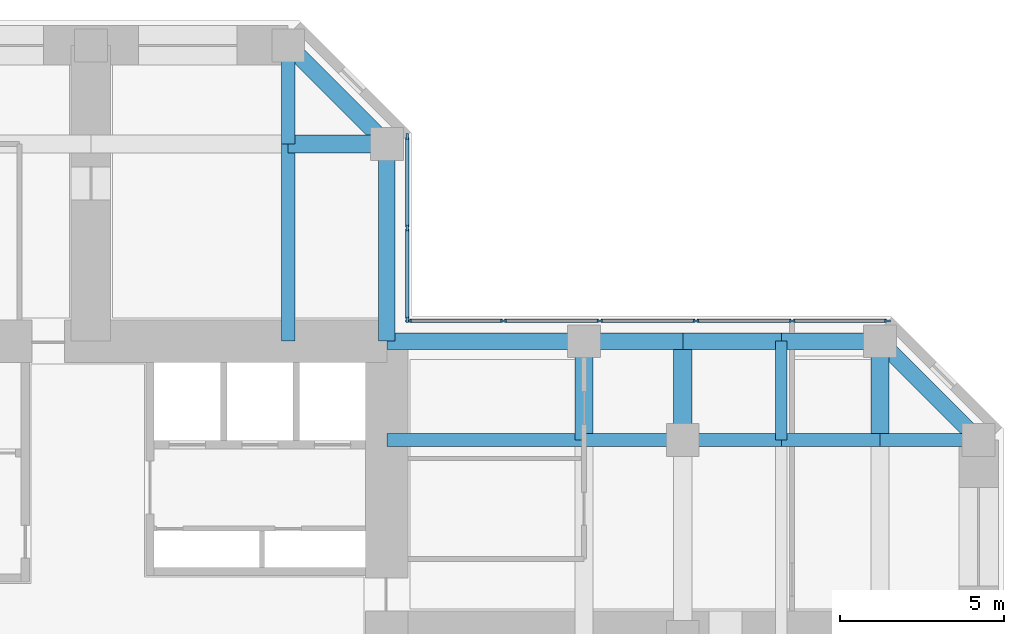
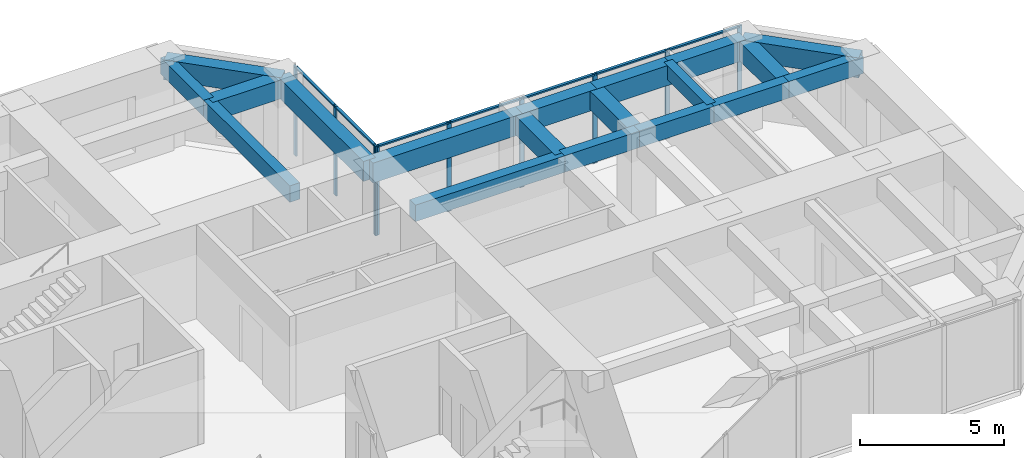
# One storey, part 6 of 12: 19 beams, 16 members, 2 elements without a shape of their own.
"""IFC4 building model written with IfcOpenShell, lengths in metres."""

from ifc_helpers import new_model, si_unit, direction, frame, origin, origin_2d, place, context, subcontext, project, spatial, rectangle, extrude, material, material_profile, profile_set, type_object, element, aggregate, save


model = new_model("IFC4")

# Units and contexts
model_context = context("Model", 3, precision=1e-05, world=origin(), true_north=direction((0.0, 1.0)))
body_context = subcontext(model_context, "Body", "Model", "MODEL_VIEW")
ifc_project = project(units=[si_unit("LENGTHUNIT", "METRE"), si_unit("AREAUNIT", "SQUARE_METRE"), si_unit("VOLUMEUNIT", "CUBIC_METRE"), si_unit("PLANEANGLEUNIT", "RADIAN"), si_unit("MASSUNIT", "GRAM", prefix="KILO")], contexts=[model_context])

# Site, building, storey
site_placement = place(None, origin())
site = spatial("IfcSite", under=ifc_project, at=site_placement, CompositionType="ELEMENT")
building_placement = place(site_placement, origin())
building = spatial("IfcBuilding", under=site, at=building_placement, Name="Torre Cruceta", CompositionType="ELEMENT")
storey_placement = place(building_placement, frame((0.0, 0.0, 144.5)))
storey = spatial("IfcBuildingStorey", under=building, at=storey_placement, Name="L35", CompositionType="ELEMENT", Elevation=144.5)

# Beams
ifc_material_1 = material(Name="Concrete G60 (fck 60 MPa)", Category="concrete")
ifc_material_profile_1 = material_profile(ifc_material_1, rectangle(XDim=0.39990234375, YDim=0.699951171875, at=origin_2d()), Name="RC 400X700")
ifc_profile_set_1 = profile_set([ifc_material_profile_1], Name="Concrete G60 (fck 60 MPa)")
beam_type_1 = type_object("IfcBeamType", Name="COLUMN LINE BEAM RC 400X700", PredefinedType="BEAM", material=ifc_profile_set_1)
beam_1_placement = place(storey_placement, frame((6.0, 9.0, 3.449951171875), z_axis=(0.0, 1.0, 0.0), x_axis=(-1.0, 0.0, 0.0)))
element("IfcBeam", 1, at=beam_1_placement, inside=storey, type_object=beam_type_1, Name="LB5 L35 N col- 1", PredefinedType="BEAM", context=body_context, shape_type="SweptSolid", body=[
    extrude(rectangle(XDim=0.39990234375, YDim=0.699951171875, at=origin_2d()), origin(), (0.0, 0.0, 1.0), 6.0),
])
beam_2_placement = place(storey_placement, frame((6.0, 15.0, 3.449951171875), z_axis=(0.0, 1.0, 0.0), x_axis=(-1.0, 0.0, 0.0)))
element("IfcBeam", 2, at=beam_2_placement, inside=storey, type_object=beam_type_1, Name="LB5 L35 N col- 2", PredefinedType="BEAM", context=body_context, shape_type="SweptSolid", body=[
    extrude(rectangle(XDim=0.39990234375, YDim=0.699951171875, at=origin_2d()), origin(), (0.0, 0.0, 1.0), 3.0),
])
beam_3_placement = place(storey_placement, frame((9.0, 6.0, 3.449951171875), z_axis=(1.0, 0.0, 0.0), x_axis=(0.0, 1.0, 0.0)))
element("IfcBeam", 3, at=beam_3_placement, inside=storey, type_object=beam_type_1, Name="LB5 L35 E col+ 1", PredefinedType="BEAM", context=body_context, shape_type="SweptSolid", body=[
    extrude(rectangle(XDim=0.39990234375, YDim=0.699951171875, at=origin_2d()), origin(), (0.0, 0.0, 1.0), 6.0),
])
for number, where, z_axis, x_axis, name in (
    (4, (15.0, 6.0, 3.449951171875), (1.0, 0.0, 0.0), (0.0, 1.0, 0.0), "LB5 L35 E col+ 2"),
    (5, (18.0, 6.0, 3.449951171875), (1.0, 0.0, 0.0), (0.0, 1.0, 0.0), "LB5 L35 E col+ 3"),
    (6, (21.0, 6.0, 3.449951171875), (1.0, 0.0, 0.0), (0.0, 1.0, 0.0), "LB5 L35 E col+ 4"),
    (7, (24.0, 6.0, 3.449951171875), (1.0, 0.0, 0.0), (0.0, 1.0, 0.0), "LB5 L35 E col+ 5"),
):
    element("IfcBeam", number, at=place(storey_placement, frame(where, z_axis=z_axis, x_axis=x_axis)), inside=storey, type_object=beam_type_1, Name=name, PredefinedType="BEAM", context=body_context, shape_type="SweptSolid", body=[
        extrude(rectangle(XDim=0.39990234375, YDim=0.699951171875, at=origin_2d()), origin(), (0.0, 0.0, 1.0), 3.0),
    ])
ifc_material_2 = material(Name="Concrete G60 (fck 60 MPa)", Category="concrete")
ifc_material_profile_2 = material_profile(ifc_material_2, rectangle(XDim=0.550048828125, YDim=0.800048828125, at=origin_2d()), Name="RC 550X800")
ifc_profile_set_2 = profile_set([ifc_material_profile_2], Name="Concrete G60 (fck 60 MPa)")
beam_type_2 = type_object("IfcBeamType", Name="CROSS BEAM RC 550X800", PredefinedType="BEAM", material=ifc_profile_set_2)
for number, where, z_axis, x_axis, name in (
    (8, (9.0, 15.0, 3.39990234375), (-1.0, 0.0, 0.0), (0.0, -1.0, 0.0), "GB5 L35 N cross15 1"),
    (9, (15.0, 6.0, 3.39990234375), (0.0, 1.0, 0.0), (-1.0, 0.0, 0.0), "GB5 L35 E cross15 4"),
    (10, (18.0, 6.0, 3.39990234375), (0.0, 1.0, 0.0), (-1.0, 0.0, 0.0), "GB5 L35 E cross18 4"),
    (11, (24.0, 6.0, 3.39990234375), (0.0, 1.0, 0.0), (-1.0, 0.0, 0.0), "GB5 L35 E cross24 4"),
):
    element("IfcBeam", number, at=place(storey_placement, frame(where, z_axis=z_axis, x_axis=x_axis)), inside=storey, type_object=beam_type_2, Name=name, PredefinedType="BEAM", context=body_context, shape_type="SweptSolid", body=[
        extrude(rectangle(XDim=0.550048828125, YDim=0.800048828125, at=origin_2d()), origin(), (0.0, 0.0, 1.0), 3.0),
    ])

# Curtain wall, members
ifc_material_3 = material(Name="Aluminium unitised curtain wall", Category="aluminium")
curtain_wall_type = type_object("IfcCurtainWallType", Name="CURTAIN WALL CW-B OFFICE MID RISE", PredefinedType="USERDEFINED", material=ifc_material_3)
curtain_wall_1_placement = place(storey_placement, origin())
curtain_wall_1 = element("IfcCurtainWall", 12, at=curtain_wall_1_placement, inside=storey, type_object=curtain_wall_type, Name="CW-B L35 E side 04", ObjectType="UNITISED", PredefinedType="USERDEFINED")
ifc_material_4 = material(Name="Aluminium mullion", Category="aluminium")
ifc_material_profile_3 = material_profile(ifc_material_4, rectangle(XDim=0.06494140625, YDim=0.179931640625, at=origin_2d()), Name="AL 65X180")
ifc_profile_set_3 = profile_set([ifc_material_profile_3], Name="Aluminium mullion")
member_type_1 = type_object("IfcMemberType", Name="CW-B MULLION 65X180", PredefinedType="MULLION", material=ifc_profile_set_3)
member_1_placement = place(storey_placement, frame((24.224365234375, 9.6201171875, 0.0), z_axis=(0.0, 0.0, 1.0), x_axis=(0.0, -1.0, 0.0)))
member_1 = element("IfcMember", 13, at=member_1_placement, type_object=member_type_1, Name="CW-B mullion 1", PredefinedType="MULLION", context=body_context, shape_type="SweptSolid", body=[
    extrude(rectangle(XDim=0.06494140625, YDim=0.179931640625, at=origin_2d()), origin(), (0.0, 0.0, 1.0), 3.800048828125),
])
member_2_placement = place(storey_placement, frame((21.329345703125, 9.6201171875, 0.0), z_axis=(0.0, 0.0, 1.0), x_axis=(0.0, -1.0, 0.0)))
member_2 = element("IfcMember", 14, at=member_2_placement, type_object=member_type_1, Name="CW-B mullion 2", PredefinedType="MULLION", context=body_context, shape_type="SweptSolid", body=[
    extrude(rectangle(XDim=0.06494140625, YDim=0.179931640625, at=origin_2d()), origin(), (0.0, 0.0, 1.0), 3.800048828125),
])
member_3_placement = place(storey_placement, frame((18.402099609375, 9.6201171875, 0.0), z_axis=(0.0, 0.0, 1.0), x_axis=(0.0, -1.0, 0.0)))
member_3 = element("IfcMember", 15, at=member_3_placement, type_object=member_type_1, Name="CW-B mullion 3", PredefinedType="MULLION", context=body_context, shape_type="SweptSolid", body=[
    extrude(rectangle(XDim=0.06494140625, YDim=0.179931640625, at=origin_2d()), origin(), (0.0, 0.0, 1.0), 3.800048828125),
])
member_4_placement = place(storey_placement, frame((15.474609375, 9.6201171875, 0.0), z_axis=(0.0, 0.0, 1.0), x_axis=(0.0, -1.0, 0.0)))
member_4 = element("IfcMember", 16, at=member_4_placement, type_object=member_type_1, Name="CW-B mullion 4", PredefinedType="MULLION", context=body_context, shape_type="SweptSolid", body=[
    extrude(rectangle(XDim=0.06494140625, YDim=0.179931640625, at=origin_2d()), origin(), (0.0, 0.0, 1.0), 3.800048828125),
])
member_5_placement = place(storey_placement, frame((12.54736328125, 9.6201171875, 0.0), z_axis=(0.0, 0.0, 1.0), x_axis=(0.0, -1.0, 0.0)))
member_5 = element("IfcMember", 17, at=member_5_placement, type_object=member_type_1, Name="CW-B mullion 5", PredefinedType="MULLION", context=body_context, shape_type="SweptSolid", body=[
    extrude(rectangle(XDim=0.06494140625, YDim=0.179931640625, at=origin_2d()), origin(), (0.0, 0.0, 1.0), 3.800048828125),
])
member_6_placement = place(storey_placement, frame((9.652587890625, 9.6201171875, 0.0), z_axis=(0.0, 0.0, 1.0), x_axis=(0.0, -1.0, 0.0)))
member_6 = element("IfcMember", 18, at=member_6_placement, type_object=member_type_1, Name="CW-B mullion 6", PredefinedType="MULLION", context=body_context, shape_type="SweptSolid", body=[
    extrude(rectangle(XDim=0.06494140625, YDim=0.179931640625, at=origin_2d()), origin(), (0.0, 0.0, 1.0), 3.800048828125),
])

curtain_wall_2_placement = place(storey_placement, origin())
curtain_wall_2 = element("IfcCurtainWall", 19, at=curtain_wall_2_placement, inside=storey, type_object=curtain_wall_type, Name="CW-B L35 N side 05", ObjectType="UNITISED", PredefinedType="USERDEFINED")
member_7_placement = place(storey_placement, frame((9.6201171875, 9.652587890625, 0.0), z_axis=(0.0, 0.0, 1.0), x_axis=(-1.0, 0.0, 0.0)))
member_7 = element("IfcMember", 20, at=member_7_placement, type_object=member_type_1, Name="CW-B mullion 1", PredefinedType="MULLION", context=body_context, shape_type="SweptSolid", body=[
    extrude(rectangle(XDim=0.06494140625, YDim=0.179931640625, at=origin_2d()), origin(), (0.0, 0.0, 1.0), 3.800048828125),
])
member_8_placement = place(storey_placement, frame((9.6201171875, 12.4384765625, 0.0), z_axis=(0.0, 0.0, 1.0), x_axis=(-1.0, 0.0, 0.0)))
member_8 = element("IfcMember", 21, at=member_8_placement, type_object=member_type_1, Name="CW-B mullion 2", PredefinedType="MULLION", context=body_context, shape_type="SweptSolid", body=[
    extrude(rectangle(XDim=0.06494140625, YDim=0.179931640625, at=origin_2d()), origin(), (0.0, 0.0, 1.0), 3.800048828125),
])
member_9_placement = place(storey_placement, frame((9.6201171875, 15.224365234375, 0.0), z_axis=(0.0, 0.0, 1.0), x_axis=(-1.0, 0.0, 0.0)))
member_9 = element("IfcMember", 22, at=member_9_placement, type_object=member_type_1, Name="CW-B mullion 3", PredefinedType="MULLION", context=body_context, shape_type="SweptSolid", body=[
    extrude(rectangle(XDim=0.06494140625, YDim=0.179931640625, at=origin_2d()), origin(), (0.0, 0.0, 1.0), 3.800048828125),
])

# Member
ifc_material_5 = material(Name="Aluminium transom", Category="aluminium")
ifc_material_profile_4 = material_profile(ifc_material_5, rectangle(XDim=0.110107421875, YDim=0.06494140625, at=origin_2d()), Name="AL 110X65")
ifc_profile_set_4 = profile_set([ifc_material_profile_4], Name="Aluminium transom")
member_type_2 = type_object("IfcMemberType", Name="CW-B TRANSOM 65X110", PredefinedType="USERDEFINED", material=ifc_profile_set_4)
member_10_placement = place(storey_placement, frame((24.19189453125, 9.6201171875, 3.767578125), z_axis=(-1.0, 0.0, 0.0), x_axis=(0.0, -1.0, 0.0)))
member_10 = element("IfcMember", 23, at=member_10_placement, type_object=member_type_2, Name="CW-B transom 1", ObjectType="TRANSOM", PredefinedType="USERDEFINED", context=body_context, shape_type="SweptSolid", body=[
    extrude(rectangle(XDim=0.110107421875, YDim=0.06494140625, at=origin_2d()), origin(), (0.0, 0.0, 1.0), 2.829833984375),
])

member_11_placement = place(storey_placement, frame((21.296875, 9.6201171875, 3.767578125), z_axis=(-1.0, 0.0, 0.0), x_axis=(0.0, -1.0, 0.0)))
member_11 = element("IfcMember", 24, at=member_11_placement, type_object=member_type_2, Name="CW-B transom 2", ObjectType="TRANSOM", PredefinedType="USERDEFINED", context=body_context, shape_type="SweptSolid", body=[
    extrude(rectangle(XDim=0.110107421875, YDim=0.06494140625, at=origin_2d()), origin(), (0.0, 0.0, 1.0), 2.8623046875),
])

member_12_placement = place(storey_placement, frame((18.36962890625, 9.6201171875, 3.767578125), z_axis=(-1.0, 0.0, 0.0), x_axis=(0.0, -1.0, 0.0)))
member_12 = element("IfcMember", 25, at=member_12_placement, type_object=member_type_2, Name="CW-B transom 3", ObjectType="TRANSOM", PredefinedType="USERDEFINED", context=body_context, shape_type="SweptSolid", body=[
    extrude(rectangle(XDim=0.110107421875, YDim=0.06494140625, at=origin_2d()), origin(), (0.0, 0.0, 1.0), 2.8623046875),
])

member_13_placement = place(storey_placement, frame((15.442138671875, 9.6201171875, 3.767578125), z_axis=(-1.0, 0.0, 0.0), x_axis=(0.0, -1.0, 0.0)))
member_13 = element("IfcMember", 26, at=member_13_placement, type_object=member_type_2, Name="CW-B transom 4", ObjectType="TRANSOM", PredefinedType="USERDEFINED", context=body_context, shape_type="SweptSolid", body=[
    extrude(rectangle(XDim=0.110107421875, YDim=0.06494140625, at=origin_2d()), origin(), (0.0, 0.0, 1.0), 2.8623046875),
])

member_14_placement = place(storey_placement, frame((12.514892578125, 9.6201171875, 3.767578125), z_axis=(-1.0, 0.0, 0.0), x_axis=(0.0, -1.0, 0.0)))
member_14 = element("IfcMember", 27, at=member_14_placement, type_object=member_type_2, Name="CW-B transom 5", ObjectType="TRANSOM", PredefinedType="USERDEFINED", context=body_context, shape_type="SweptSolid", body=[
    extrude(rectangle(XDim=0.110107421875, YDim=0.06494140625, at=origin_2d()), origin(), (0.0, 0.0, 1.0), 2.829833984375),
])

aggregate(curtain_wall_1, [member_1, member_2, member_3, member_4, member_5, member_6, member_10, member_11, member_12, member_13, member_14])

member_15_placement = place(storey_placement, frame((9.6201171875, 9.68505859375, 3.767578125), z_axis=(0.0, 1.0, 0.0), x_axis=(-1.0, 0.0, 0.0)))
member_15 = element("IfcMember", 28, at=member_15_placement, type_object=member_type_2, Name="CW-B transom 1", ObjectType="TRANSOM", PredefinedType="USERDEFINED", context=body_context, shape_type="SweptSolid", body=[
    extrude(rectangle(XDim=0.110107421875, YDim=0.06494140625, at=origin_2d()), origin(), (0.0, 0.0, 1.0), 2.720947265625),
])

member_16_placement = place(storey_placement, frame((9.6201171875, 12.470947265625, 3.767578125), z_axis=(0.0, 1.0, 0.0), x_axis=(-1.0, 0.0, 0.0)))
member_16 = element("IfcMember", 29, at=member_16_placement, type_object=member_type_2, Name="CW-B transom 2", ObjectType="TRANSOM", PredefinedType="USERDEFINED", context=body_context, shape_type="SweptSolid", body=[
    extrude(rectangle(XDim=0.110107421875, YDim=0.06494140625, at=origin_2d()), origin(), (0.0, 0.0, 1.0), 2.720947265625),
])

aggregate(curtain_wall_2, [member_7, member_8, member_9, member_15, member_16])

# Beams
ifc_material_6 = material(Name="Concrete G60 (fck 60 MPa)", Category="concrete")
ifc_material_profile_5 = material_profile(ifc_material_6, rectangle(XDim=0.35009765625, YDim=0.60009765625, at=origin_2d()), Name="RC 350X600")
ifc_profile_set_5 = profile_set([ifc_material_profile_5], Name="Concrete G60 (fck 60 MPa)")
beam_type_3 = type_object("IfcBeamType", Name="SECONDARY BEAM RC 350X600", PredefinedType="JOIST", material=ifc_profile_set_5)
beam_4_placement = place(storey_placement, frame((21.0, 6.0, 3.5), z_axis=(0.0, 1.0, 0.0), x_axis=(-1.0, 0.0, 0.0)))
element("IfcBeam", 30, at=beam_4_placement, inside=storey, type_object=beam_type_3, Name="JB5 L35 E sec21 4", PredefinedType="JOIST", context=body_context, shape_type="SweptSolid", body=[
    extrude(rectangle(XDim=0.35009765625, YDim=0.60009765625, at=origin_2d()), origin(), (0.0, 0.0, 1.0), 3.0),
])
ifc_material_7 = material(Name="Concrete G60 (fck 60 MPa)", Category="concrete")
ifc_material_profile_6 = material_profile(ifc_material_7, rectangle(XDim=0.5, YDim=0.85009765625, at=origin_2d()), Name="RC 500X850")
ifc_profile_set_6 = profile_set([ifc_material_profile_6], Name="Concrete G60 (fck 60 MPa)")
beam_type_4 = type_object("IfcBeamType", Name="SPANDREL BEAM RC 500X850", PredefinedType="SPANDREL", material=ifc_profile_set_6)
beam_5_placement = place(storey_placement, frame((9.0, 9.0, 3.375), z_axis=(0.0, 1.0, 0.0), x_axis=(-1.0, 0.0, 0.0)))
element("IfcBeam", 31, at=beam_5_placement, inside=storey, type_object=beam_type_4, Name="SB5 L35 N side- 1", PredefinedType="SPANDREL", context=body_context, shape_type="SweptSolid", body=[
    extrude(rectangle(XDim=0.5, YDim=0.85009765625, at=origin_2d()), origin(), (0.0, 0.0, 1.0), 6.0),
])
beam_6_placement = place(storey_placement, frame((9.0, 15.0, 3.375), z_axis=(-0.707106781187, 0.707106781187, 0.0), x_axis=(-0.707106781187, -0.707106781187, 0.0)))
element("IfcBeam", 32, at=beam_6_placement, inside=storey, type_object=beam_type_4, Name="SB5 L35 N side- 2", PredefinedType="SPANDREL", context=body_context, shape_type="SweptSolid", body=[
    extrude(rectangle(XDim=0.5, YDim=0.85009765625, at=origin_2d()), origin(), (0.0, 0.0, 1.0), 4.24267578125),
])
beam_7_placement = place(storey_placement, frame((9.0, 9.0, 3.375), z_axis=(1.0, 0.0, 0.0), x_axis=(0.0, 1.0, 0.0)))
element("IfcBeam", 33, at=beam_7_placement, inside=storey, type_object=beam_type_4, Name="SB5 L35 E side+ 1", PredefinedType="SPANDREL", context=body_context, shape_type="SweptSolid", body=[
    extrude(rectangle(XDim=0.5, YDim=0.85009765625, at=origin_2d()), origin(), (0.0, 0.0, 1.0), 6.0),
])
for number, where, z_axis, x_axis, name in (
    (34, (15.0, 9.0, 3.375), (1.0, 0.0, 0.0), (0.0, 1.0, 0.0), "SB5 L35 E side+ 2"),
    (35, (18.0, 9.0, 3.375), (1.0, 0.0, 0.0), (0.0, 1.0, 0.0), "SB5 L35 E side+ 3"),
    (36, (21.0, 9.0, 3.375), (1.0, 0.0, 0.0), (0.0, 1.0, 0.0), "SB5 L35 E side+ 4"),
):
    element("IfcBeam", number, at=place(storey_placement, frame(where, z_axis=z_axis, x_axis=x_axis)), inside=storey, type_object=beam_type_4, Name=name, PredefinedType="SPANDREL", context=body_context, shape_type="SweptSolid", body=[
        extrude(rectangle(XDim=0.5, YDim=0.85009765625, at=origin_2d()), origin(), (0.0, 0.0, 1.0), 3.0),
    ])
beam_8_placement = place(storey_placement, frame((24.0, 9.0, 3.375), z_axis=(0.707106781187, -0.707106781187, 0.0), x_axis=(0.707106781187, 0.707106781187, 0.0)))
element("IfcBeam", 37, at=beam_8_placement, inside=storey, type_object=beam_type_4, Name="SB5 L35 E side+ 5", PredefinedType="SPANDREL", context=body_context, shape_type="SweptSolid", body=[
    extrude(rectangle(XDim=0.5, YDim=0.85009765625, at=origin_2d()), origin(), (0.0, 0.0, 1.0), 4.24267578125),
])

save(model, "model.ifc")
